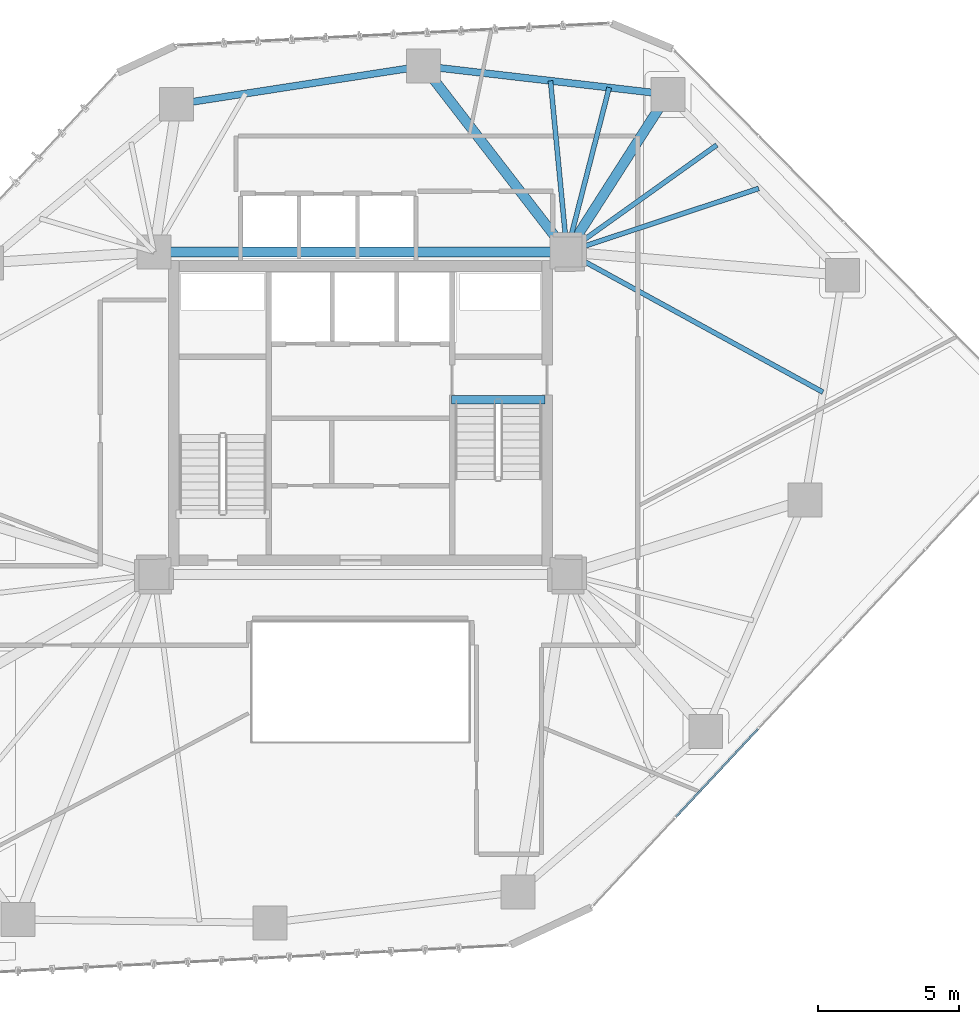
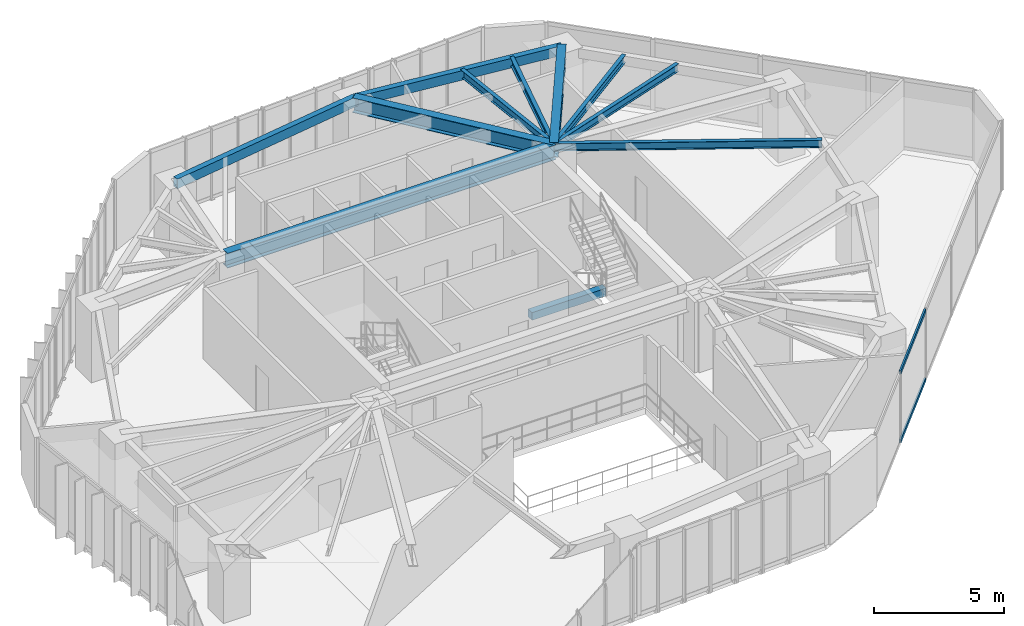
# One storey, part 12 of 23: 11 beams, 2 members, 1 element without a shape of its own.
"""IFC4 building model written with IfcOpenShell, lengths in metres."""

from ifc_helpers import new_model, si_unit, direction, frame, origin, origin_2d, place, context, subcontext, project, spatial, rectangle, hollow_rectangle, i_section, extrude, source, transform, mapped, material, layer, layer_set, material_profile, profile_set, type_object, type_shapes, element, aggregate, save


model = new_model("IFC4")

# Units and contexts
model_context = context("Model", 3, precision=1e-05, world=origin(), true_north=direction((0.0, 1.0)))
body_context = subcontext(model_context, "Body", "Model", "MODEL_VIEW")
ifc_project = project(units=[si_unit("LENGTHUNIT", "METRE"), si_unit("AREAUNIT", "SQUARE_METRE"), si_unit("VOLUMEUNIT", "CUBIC_METRE"), si_unit("PLANEANGLEUNIT", "RADIAN"), si_unit("MASSUNIT", "GRAM", prefix="KILO")], contexts=[model_context])

# Site, building, storey
site_placement = place(None, origin())
site = spatial("IfcSite", under=ifc_project, at=site_placement, CompositionType="ELEMENT")
building_placement = place(site_placement, origin())
building = spatial("IfcBuilding", under=site, at=building_placement, Name="Talar Marvaseh", CompositionType="ELEMENT")
storey_placement = place(building_placement, frame((0.0, 0.0, 100.199951171875)))
storey = spatial("IfcBuildingStorey", under=building, at=storey_placement, Name="L25", CompositionType="ELEMENT", Elevation=100.199951171875)

# Beams
ifc_material_1 = material(Name="Concrete C40/50", Category="concrete")
ifc_material_profile_1 = material_profile(ifc_material_1, rectangle(XDim=0.300048828125, YDim=0.360107421875, at=origin_2d()), Name="RC300x360")
ifc_profile_set_1 = profile_set([ifc_material_profile_1], Name="Concrete C40/50")
beam_type_1 = type_object("IfcBeamType", Name="Concrete Stair Landing Trimmer Beam RC300x360", PredefinedType="SPANDREL", material=ifc_profile_set_1)
beam_1_placement = place(storey_placement, frame((29.219970703125, 31.669921875, -0.179931640625), z_axis=(1.0, 0.0, 0.0), x_axis=(0.0, 1.0, 0.0)))
element("IfcBeam", 1, at=beam_1_placement, inside=storey, type_object=beam_type_1, Name="L25 ST-2 Stair Nosing Trimmer Beam", PredefinedType="SPANDREL", context=body_context, shape_type="SweptSolid", body=[
    extrude(rectangle(XDim=0.300048828125, YDim=0.360107421875, at=origin_2d()), origin(), (0.0, 0.0, 1.0), 3.300048828125),
])
ifc_material_2 = material(Name="Steel S355", Category="steel")
ifc_material_profile_2 = material_profile(ifc_material_2, hollow_rectangle(XDim=0.25, YDim=0.449951171875, WallThickness=0.01611328125, at=origin_2d()), Name="RHS450x250x16")
ifc_profile_set_2 = profile_set([ifc_material_profile_2], Name="Steel S355")
beam_type_2 = type_object("IfcBeamType", Name="Zone 2 Perimeter Spandrel Beam RHS450x250x16", PredefinedType="SPANDREL", material=ifc_profile_set_2)
beam_2_placement = place(storey_placement, frame((19.5009765625, 42.123046875, 3.0849609375), z_axis=(0.988248879948, 0.152853365295, 0.0), x_axis=(-0.152853365295, 0.988248879948, 0.0)))
element("IfcBeam", 2, at=beam_2_placement, inside=storey, type_object=beam_type_2, Name="L25 Zone 2 Perimeter Spandrel Beam RHS450x250x16", PredefinedType="SPANDREL", context=body_context, shape_type="SweptSolid", body=[
    extrude(hollow_rectangle(XDim=0.25, YDim=0.449951171875, WallThickness=0.01611328125, at=origin_2d()), origin(), (0.0, 0.0, 1.0), 8.82470703125),
])
beam_3_placement = place(storey_placement, frame((28.221923828125, 43.471923828125, 3.0849609375), z_axis=(0.993361914569, -0.115030894474, 0.0), x_axis=(0.115030894474, 0.993361914569, 0.0)))
element("IfcBeam", 3, at=beam_3_placement, inside=storey, type_object=beam_type_2, Name="L25 Zone 2 Perimeter Spandrel Beam RHS450x250x16", PredefinedType="SPANDREL", context=body_context, shape_type="SweptSolid", body=[
    extrude(hollow_rectangle(XDim=0.25, YDim=0.449951171875, WallThickness=0.01611328125, at=origin_2d()), origin(), (0.0, 0.0, 1.0), 8.701904296875),
])
ifc_material_profile_3 = material_profile(ifc_material_2, i_section(OverallWidth=0.35498046875, OverallDepth=0.695068359375, WebThickness=0.015380859375, FlangeThickness=0.02490234375, at=origin_2d()), Name="W690x217")
ifc_profile_set_3 = profile_set([ifc_material_profile_3], Name="Steel S355")
beam_type_3 = type_object("IfcBeamType", Name="Zone 2 Radial Floor Girder W690x217", PredefinedType="BEAM", material=ifc_profile_set_3)
beam_4_placement = place(storey_placement, frame((18.699951171875, 36.89990234375, 2.962646484375), z_axis=(1.0, 0.0, 0.0), x_axis=(0.0, 1.0, 0.0)))
element("IfcBeam", 4, at=beam_4_placement, inside=storey, type_object=beam_type_3, Name="L25 Zone 2 Radial Floor Girder W690x217", PredefinedType="BEAM", context=body_context, shape_type="SweptSolid", body=[
    extrude(i_section(OverallWidth=0.35498046875, OverallDepth=0.695068359375, WebThickness=0.015380859375, FlangeThickness=0.02490234375, at=origin_2d()), origin(), (0.0, 0.0, 1.0), 14.60009765625),
])
beam_5_placement = place(storey_placement, frame((36.865966796875, 42.470947265625, 2.962646484375), z_axis=(-0.539101874952, -0.842240564461, 0.0), x_axis=(0.842240564461, -0.539101874952, 0.0)))
element("IfcBeam", 5, at=beam_5_placement, inside=storey, type_object=beam_type_3, Name="L25 Zone 2 Radial Floor Girder W690x217", PredefinedType="BEAM", context=body_context, shape_type="SweptSolid", body=[
    extrude(i_section(OverallWidth=0.35498046875, OverallDepth=0.695068359375, WebThickness=0.015380859375, FlangeThickness=0.02490234375, at=origin_2d()), origin(), (0.0, 0.0, 1.0), 6.614501953125),
])
beam_6_placement = place(storey_placement, frame((28.221923828125, 43.471923828125, 2.962646484375), z_axis=(0.611428258763, -0.791299870079, 0.0), x_axis=(0.791299870079, 0.611428258763, 0.0)))
element("IfcBeam", 6, at=beam_6_placement, inside=storey, type_object=beam_type_3, Name="L25 Zone 2 Radial Floor Girder W690x217", PredefinedType="BEAM", context=body_context, shape_type="SweptSolid", body=[
    extrude(i_section(OverallWidth=0.35498046875, OverallDepth=0.695068359375, WebThickness=0.015380859375, FlangeThickness=0.02490234375, at=origin_2d()), origin(), (0.0, 0.0, 1.0), 8.305419921875),
])
ifc_material_profile_4 = material_profile(ifc_material_2, i_section(OverallWidth=0.172119140625, OverallDepth=0.35791015625, WebThickness=0.0078125, FlangeThickness=0.01318359375, at=origin_2d()), Name="W360x57")
ifc_profile_set_4 = profile_set([ifc_material_profile_4], Name="Steel S355")
beam_type_4 = type_object("IfcBeamType", Name="Zone 2 Secondary Floor Joist W360x57", PredefinedType="JOIST", material=ifc_profile_set_4)
beam_7_placement = place(storey_placement, frame((38.595703125, 40.680419921875, 3.131103515625), z_axis=(-0.813885558782, -0.581025212195, 0.0), x_axis=(0.581025212195, -0.813885558782, 0.0)))
element("IfcBeam", 7, at=beam_7_placement, inside=storey, type_object=beam_type_4, Name="L25 Zone 2 Secondary Floor Joist W360x57", PredefinedType="JOIST", context=body_context, shape_type="SweptSolid", body=[
    extrude(i_section(OverallWidth=0.172119140625, OverallDepth=0.35791015625, WebThickness=0.0078125, FlangeThickness=0.01318359375, at=origin_2d()), origin(), (0.0, 0.0, 1.0), 6.506591796875),
])
beam_8_placement = place(storey_placement, frame((40.07861328125, 39.1455078125, 3.131103515625), z_axis=(-0.949266314022, -0.314473313754, 0.0), x_axis=(0.314473313754, -0.949266314022, 0.0)))
element("IfcBeam", 8, at=beam_8_placement, inside=storey, type_object=beam_type_4, Name="L25 Zone 2 Secondary Floor Joist W360x57", PredefinedType="JOIST", context=body_context, shape_type="SweptSolid", body=[
    extrude(i_section(OverallWidth=0.172119140625, OverallDepth=0.35791015625, WebThickness=0.0078125, FlangeThickness=0.01318359375, at=origin_2d()), origin(), (0.0, 0.0, 1.0), 7.140869140625),
])
beam_9_placement = place(storey_placement, frame((42.349853515625, 31.943115234375, 3.131103515625), z_axis=(-0.877057817553, 0.480384829766, 0.0), x_axis=(-0.480384829766, -0.877057817553, 0.0)))
element("IfcBeam", 9, at=beam_9_placement, inside=storey, type_object=beam_type_4, Name="L25 Zone 2 Secondary Floor Joist W360x57", PredefinedType="JOIST", context=body_context, shape_type="SweptSolid", body=[
    extrude(i_section(OverallWidth=0.172119140625, OverallDepth=0.35791015625, WebThickness=0.0078125, FlangeThickness=0.01318359375, at=origin_2d()), origin(), (0.0, 0.0, 1.0), 10.318359375),
])
beam_10_placement = place(storey_placement, frame((32.716796875, 42.951416015625, 3.131103515625), z_axis=(0.095936604223, -0.995387446159, 0.0), x_axis=(0.995387446159, 0.095936604223, 0.0)))
element("IfcBeam", 10, at=beam_10_placement, inside=storey, type_object=beam_type_4, Name="L25 Zone 2 Secondary Floor Joist W360x57", PredefinedType="JOIST", context=body_context, shape_type="SweptSolid", body=[
    extrude(i_section(OverallWidth=0.172119140625, OverallDepth=0.35791015625, WebThickness=0.0078125, FlangeThickness=0.01318359375, at=origin_2d()), origin(), (0.0, 0.0, 1.0), 6.07958984375),
])
beam_11_placement = place(storey_placement, frame((34.79150390625, 42.711181640625, 3.131103515625), z_axis=(-0.248591710753, -0.968608363243, 0.0), x_axis=(0.968608363243, -0.248591710753, 0.0)))
element("IfcBeam", 11, at=beam_11_placement, inside=storey, type_object=beam_type_4, Name="L25 Zone 2 Secondary Floor Joist W360x57", PredefinedType="JOIST", context=body_context, shape_type="SweptSolid", body=[
    extrude(i_section(OverallWidth=0.172119140625, OverallDepth=0.35791015625, WebThickness=0.0078125, FlangeThickness=0.01318359375, at=origin_2d()), origin(), (0.0, 0.0, 1.0), 5.99951171875),
])

# Curtain wall, members
ifc_material_3 = material(Name="Architectural Aluminium", Category="aluminium")
ifc_layer = layer(ifc_material_3, 0.199951171875)
ifc_layer_set = layer_set([ifc_layer], Name="Architectural Aluminium")
curtain_wall_type = type_object("IfcCurtainWallType", Name="Unitised Acoustic Library Curtain Wall Z2", PredefinedType="NOTDEFINED", material=ifc_layer_set)
curtain_wall_placement = place(storey_placement, origin())
curtain_wall = element("IfcCurtainWall", 12, at=curtain_wall_placement, inside=storey, type_object=curtain_wall_type, Name="L25 Unitised Acoustic Library Curtain Wall Z2", PredefinedType="NOTDEFINED")
ifc_material_profile_5 = material_profile(ifc_material_3, hollow_rectangle(XDim=0.074951171875, YDim=0.179931640625, WallThickness=0.0048828125, at=origin_2d()), Name="RHS180x75x5")
ifc_profile_set_5 = profile_set([ifc_material_profile_5], Name="Architectural Aluminium")
member_type = type_object("IfcMemberType", Name="Unitised Curtain Wall Transom RHS180x75x5", PredefinedType="USERDEFINED", material=ifc_profile_set_5)
shared_shape = source(origin(), body_context, "Body", "SweptSolid", [
    extrude(hollow_rectangle(XDim=0.074951171875, YDim=0.179931640625, WallThickness=0.0048828125, at=origin_2d()), origin(), (0.0, 0.0, 1.0), 4.24853515625),
])
type_shapes(member_type, [shared_shape])
member_1_placement = place(storey_placement, frame((40.053466796875, 20.037841796875, 0.03759765625), z_axis=(-0.682113477765, -0.731246335684, 0.0), x_axis=(0.731246335684, -0.682113477765, 0.0)))
member_1 = element("IfcMember", 13, at=member_1_placement, type_object=member_type, Name="CW-Z2 transom 4.1", ObjectType="TRANSOM", PredefinedType="USERDEFINED", context=body_context, shape_type="MappedRepresentation", body=[
    mapped(shared_shape, transform((0.0, 0.0, 0.0), x_axis=(1.0, 0.0, 0.0), y_axis=(0.0, 1.0, 0.0), z_axis=(0.0, 0.0, 1.0), scale=1.0)),
])
member_2_placement = place(storey_placement, frame((40.053466796875, 20.037841796875, 3.2724609375), z_axis=(-0.682113477765, -0.731246335684, 0.0), x_axis=(0.731246335684, -0.682113477765, 0.0)))
member_2 = element("IfcMember", 14, at=member_2_placement, type_object=member_type, Name="CW-Z2 transom 4.2", ObjectType="TRANSOM", PredefinedType="USERDEFINED", context=body_context, shape_type="MappedRepresentation", body=[
    mapped(shared_shape, transform((0.0, 0.0, 0.0), x_axis=(1.0, 0.0, 0.0), y_axis=(0.0, 1.0, 0.0), z_axis=(0.0, 0.0, 1.0), scale=1.0)),
])
aggregate(curtain_wall, [member_1, member_2])

save(model, "model.ifc")
